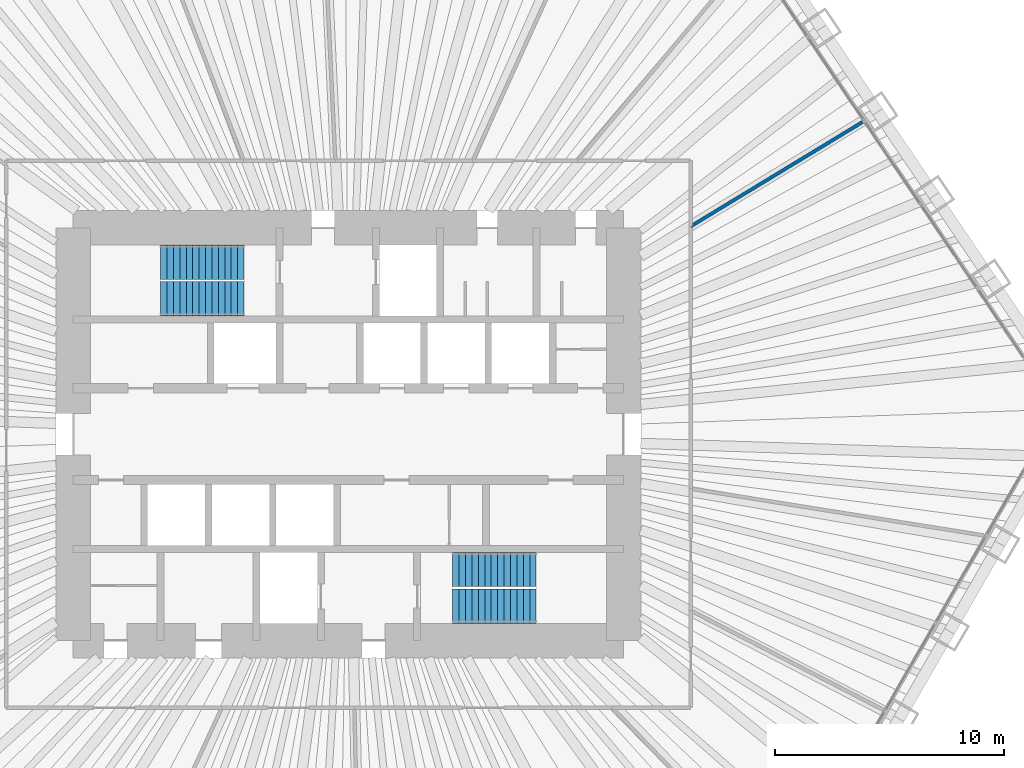
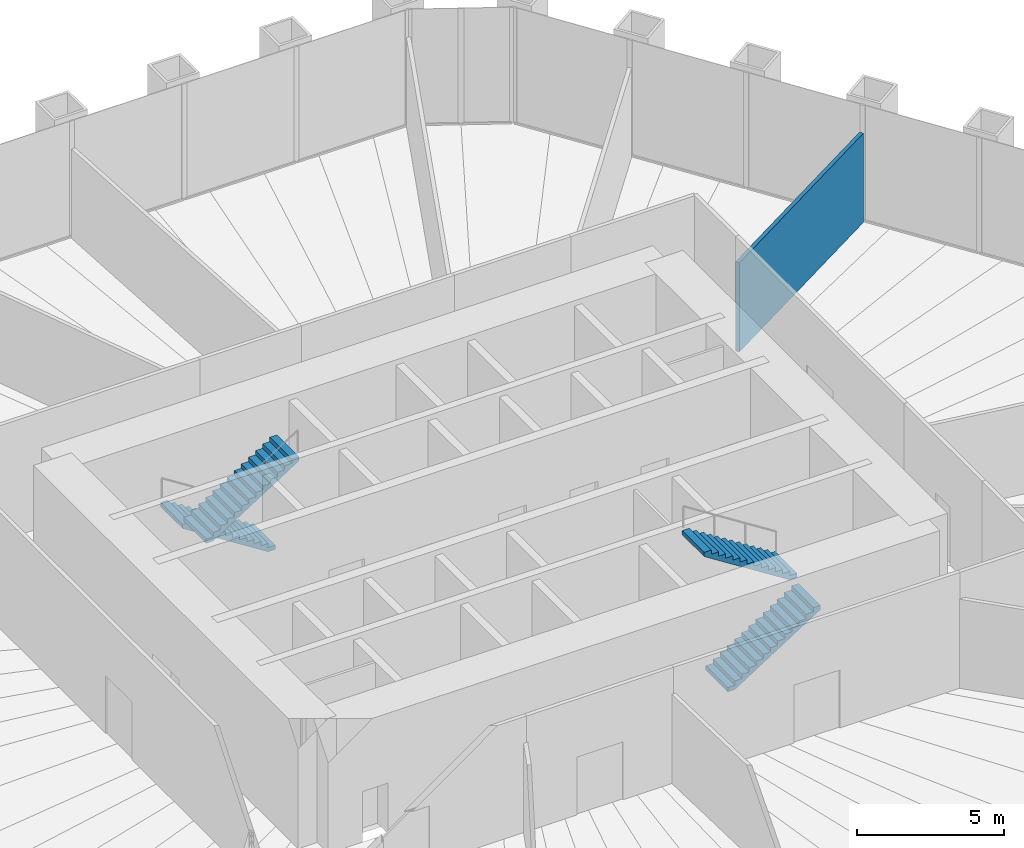
# One storey, part 13 of 14: 4 stair flights, 1 wall, 2 elements without a shape of their own.
"""IFC4 building model written with IfcOpenShell, lengths in metres."""

from ifc_helpers import new_model, si_unit, direction, frame, frame_2d, origin, place, context, subcontext, project, spatial, polyline, rectangle, outline, extrude, material, layer, layer_set, type_object, element, aggregate, save


model = new_model("IFC4")

# Units and contexts
model_context = context("Model", 3, precision=1e-05, world=origin(), true_north=direction((0.0, 1.0)))
body_context = subcontext(model_context, "Body", "Model", "MODEL_VIEW")
ifc_project = project(units=[si_unit("LENGTHUNIT", "METRE"), si_unit("AREAUNIT", "SQUARE_METRE"), si_unit("VOLUMEUNIT", "CUBIC_METRE"), si_unit("PLANEANGLEUNIT", "RADIAN"), si_unit("MASSUNIT", "GRAM", prefix="KILO")], contexts=[model_context])

# Site, building, storey
site_placement = place(None, origin())
site = spatial("IfcSite", under=ifc_project, at=site_placement, CompositionType="ELEMENT")
building_placement = place(site_placement, origin())
building = spatial("IfcBuilding", under=site, at=building_placement, Name="Qingtian Harvest Tower", CompositionType="ELEMENT")
storey_placement = place(building_placement, frame((0.0, 0.0, 52.0)))
storey = spatial("IfcBuildingStorey", under=building, at=storey_placement, Name="L10", CompositionType="ELEMENT", Elevation=52.0)

# Wall
ifc_material_1 = material(Name="Gypsum board on steel studs", Category="steel")
ifc_layer = layer(ifc_material_1, 0.14990234375)
ifc_layer_set = layer_set([ifc_layer], Name="Partition PT1 150")
wall_type = type_object("IfcWallType", Name="Partition PT1 150", PredefinedType="PARTITIONING", material=ifc_layer_set)
wall_placement = place(storey_placement, frame((22.42138671875, 13.6123046875, 0.0), z_axis=(0.0, 0.0, 1.0), x_axis=(-0.854791484761, -0.518971596121, 0.0)))
element("IfcWall", 1, at=wall_placement, inside=storey, type_object=wall_type, Name="Herb growing room wall L10", PredefinedType="PARTITIONING", context=body_context, shape_type="SweptSolid", body=[
    extrude(rectangle(XDim=8.769775390625, YDim=0.14990234375, at=frame_2d((4.384765625, 0.0))), origin(), (0.0, 0.0, 1.0), 3.699951171875),
])

# Stair, stair flights
ifc_material_2 = material(Name="Concrete fc' 35 MPa", Category="concrete")
stair_type = type_object("IfcStairType", Name="Special stair ST2 5000", PredefinedType="HALF_TURN_STAIR", material=ifc_material_2)
stair_1_placement = place(storey_placement, origin())
stair_1 = element("IfcStair", 2, at=stair_1_placement, inside=storey, type_object=stair_type, Name="Special stair S1 L10", PredefinedType="HALF_TURN_STAIR")
ifc_material_3 = material(Name="Concrete fc' 35 MPa", Category="concrete")
stair_flight_type = type_object("IfcStairFlightType", Name="Stair flight SF2 5000", PredefinedType="STRAIGHT", material=ifc_material_3)
stair_flight_1_placement = place(storey_placement, frame((-4.550048828125, 7.5, 0.0), z_axis=(0.0, 0.0, 1.0), x_axis=(-1.0, 0.0, 0.0)))
stair_flight_1 = element("IfcStairFlight", 3, at=stair_flight_1_placement, type_object=stair_flight_type, Name="S1 flight 1", NumberOfRisers=14, NumberOfTreads=13, PredefinedType="STRAIGHT", RiserHeight=0.178571429, TreadLength=0.28, context=body_context, shape_type="SweptSolid", body=[
    extrude(outline(polyline([(0.0, 0.0), (0.0, 0.178466796875), (0.280029296875, 0.178466796875), (0.280029296875, 0.357177734375), (0.56005859375, 0.357177734375), (0.56005859375, 0.53564453125), (0.840087890625, 0.53564453125), (0.840087890625, 0.71435546875), (1.1201171875, 0.71435546875), (1.1201171875, 0.892822265625), (1.39990234375, 0.892822265625), (1.39990234375, 1.071533203125), (1.679931640625, 1.071533203125), (1.679931640625, 1.25), (1.9599609375, 1.25), (1.9599609375, 1.428466796875), (2.239990234375, 1.428466796875), (2.239990234375, 1.607177734375), (2.52001953125, 1.607177734375), (2.52001953125, 1.78564453125), (2.800048828125, 1.78564453125), (2.800048828125, 1.96435546875), (3.080078125, 1.96435546875), (3.080078125, 2.142822265625), (3.360107421875, 2.142822265625), (3.360107421875, 2.321533203125), (3.639892578125, 2.321533203125), (3.639892578125, 2.5), (3.639892578125, 2.1435546875), (0.27880859375, 0.0), (0.0, 0.0)])), frame((0.0, 0.75, 0.0), z_axis=(0.0, -1.0, 0.0), x_axis=(1.0, 0.0, 0.0)), (0.0, 0.0, 1.0), 1.5),
])
stair_flight_2_placement = place(storey_placement, frame((-8.18994140625, 5.89990234375, 2.5), z_axis=(0.0, 0.0, 1.0), x_axis=(1.0, 0.0, 0.0)))
stair_flight_2 = element("IfcStairFlight", 4, at=stair_flight_2_placement, type_object=stair_flight_type, Name="S1 flight 2", NumberOfRisers=14, NumberOfTreads=13, PredefinedType="STRAIGHT", RiserHeight=0.178571429, TreadLength=0.28, context=body_context, shape_type="SweptSolid", body=[
    extrude(outline(polyline([(0.0, 0.0), (0.0, 0.178466796875), (0.280029296875, 0.178466796875), (0.280029296875, 0.357177734375), (0.56005859375, 0.357177734375), (0.56005859375, 0.53564453125), (0.840087890625, 0.53564453125), (0.840087890625, 0.71435546875), (1.1201171875, 0.71435546875), (1.1201171875, 0.892822265625), (1.39990234375, 0.892822265625), (1.39990234375, 1.071533203125), (1.679931640625, 1.071533203125), (1.679931640625, 1.25), (1.9599609375, 1.25), (1.9599609375, 1.428466796875), (2.239990234375, 1.428466796875), (2.239990234375, 1.607177734375), (2.52001953125, 1.607177734375), (2.52001953125, 1.78564453125), (2.800048828125, 1.78564453125), (2.800048828125, 1.96435546875), (3.080078125, 1.96435546875), (3.080078125, 2.142822265625), (3.360107421875, 2.142822265625), (3.360107421875, 2.321533203125), (3.639892578125, 2.321533203125), (3.639892578125, 2.5), (3.639892578125, 2.1435546875), (0.27880859375, 0.0), (0.0, 0.0)])), frame((0.0, 0.75, 0.0), z_axis=(0.0, -1.0, 0.0), x_axis=(1.0, 0.0, 0.0)), (0.0, 0.0, 1.0), 1.5),
])
aggregate(stair_1, [stair_flight_1, stair_flight_2])

stair_2_placement = place(storey_placement, origin())
stair_2 = element("IfcStair", 5, at=stair_2_placement, inside=storey, type_object=stair_type, Name="Special stair S2 L10", PredefinedType="HALF_TURN_STAIR")
stair_flight_3_placement = place(storey_placement, frame((4.550048828125, -7.5, 0.0), z_axis=(0.0, 0.0, 1.0), x_axis=(1.0, 0.0, 0.0)))
stair_flight_3 = element("IfcStairFlight", 6, at=stair_flight_3_placement, type_object=stair_flight_type, Name="S2 flight 1", NumberOfRisers=14, NumberOfTreads=13, PredefinedType="STRAIGHT", RiserHeight=0.178571429, TreadLength=0.28, context=body_context, shape_type="SweptSolid", body=[
    extrude(outline(polyline([(0.0, 0.0), (0.0, 0.178466796875), (0.280029296875, 0.178466796875), (0.280029296875, 0.357177734375), (0.56005859375, 0.357177734375), (0.56005859375, 0.53564453125), (0.840087890625, 0.53564453125), (0.840087890625, 0.71435546875), (1.1201171875, 0.71435546875), (1.1201171875, 0.892822265625), (1.39990234375, 0.892822265625), (1.39990234375, 1.071533203125), (1.679931640625, 1.071533203125), (1.679931640625, 1.25), (1.9599609375, 1.25), (1.9599609375, 1.428466796875), (2.239990234375, 1.428466796875), (2.239990234375, 1.607177734375), (2.52001953125, 1.607177734375), (2.52001953125, 1.78564453125), (2.800048828125, 1.78564453125), (2.800048828125, 1.96435546875), (3.080078125, 1.96435546875), (3.080078125, 2.142822265625), (3.360107421875, 2.142822265625), (3.360107421875, 2.321533203125), (3.639892578125, 2.321533203125), (3.639892578125, 2.5), (3.639892578125, 2.1435546875), (0.27880859375, 0.0), (0.0, 0.0)])), frame((0.0, 0.75, 0.0), z_axis=(0.0, -1.0, 0.0), x_axis=(1.0, 0.0, 0.0)), (0.0, 0.0, 1.0), 1.5),
])
stair_flight_4_placement = place(storey_placement, frame((8.18994140625, -5.89990234375, 2.5), z_axis=(0.0, 0.0, 1.0), x_axis=(-1.0, 0.0, 0.0)))
stair_flight_4 = element("IfcStairFlight", 7, at=stair_flight_4_placement, type_object=stair_flight_type, Name="S2 flight 2", NumberOfRisers=14, NumberOfTreads=13, PredefinedType="STRAIGHT", RiserHeight=0.178571429, TreadLength=0.28, context=body_context, shape_type="SweptSolid", body=[
    extrude(outline(polyline([(0.0, 0.0), (0.0, 0.178466796875), (0.280029296875, 0.178466796875), (0.280029296875, 0.357177734375), (0.56005859375, 0.357177734375), (0.56005859375, 0.53564453125), (0.840087890625, 0.53564453125), (0.840087890625, 0.71435546875), (1.1201171875, 0.71435546875), (1.1201171875, 0.892822265625), (1.39990234375, 0.892822265625), (1.39990234375, 1.071533203125), (1.679931640625, 1.071533203125), (1.679931640625, 1.25), (1.9599609375, 1.25), (1.9599609375, 1.428466796875), (2.239990234375, 1.428466796875), (2.239990234375, 1.607177734375), (2.52001953125, 1.607177734375), (2.52001953125, 1.78564453125), (2.800048828125, 1.78564453125), (2.800048828125, 1.96435546875), (3.080078125, 1.96435546875), (3.080078125, 2.142822265625), (3.360107421875, 2.142822265625), (3.360107421875, 2.321533203125), (3.639892578125, 2.321533203125), (3.639892578125, 2.5), (3.639892578125, 2.1435546875), (0.27880859375, 0.0), (0.0, 0.0)])), frame((0.0, 0.75, 0.0), z_axis=(0.0, -1.0, 0.0), x_axis=(1.0, 0.0, 0.0)), (0.0, 0.0, 1.0), 1.5),
])
aggregate(stair_2, [stair_flight_3, stair_flight_4])

save(model, "model.ifc")
